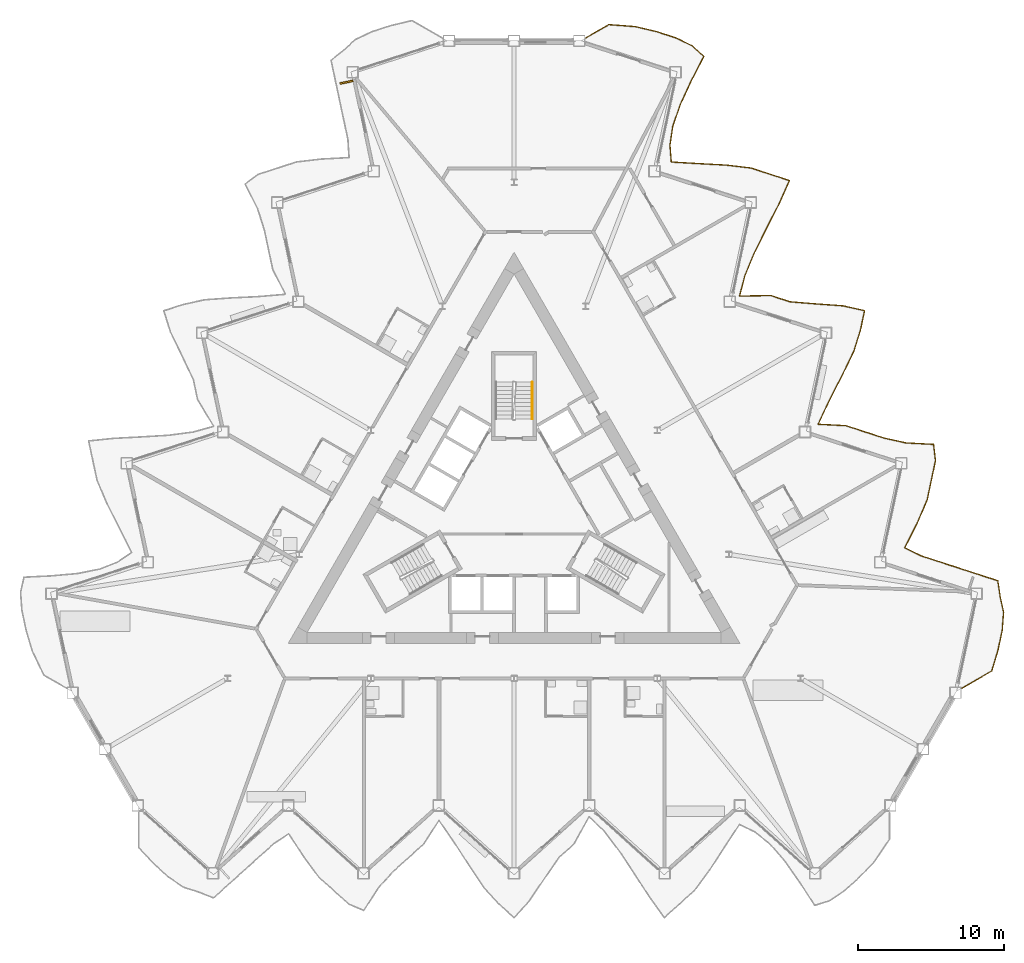
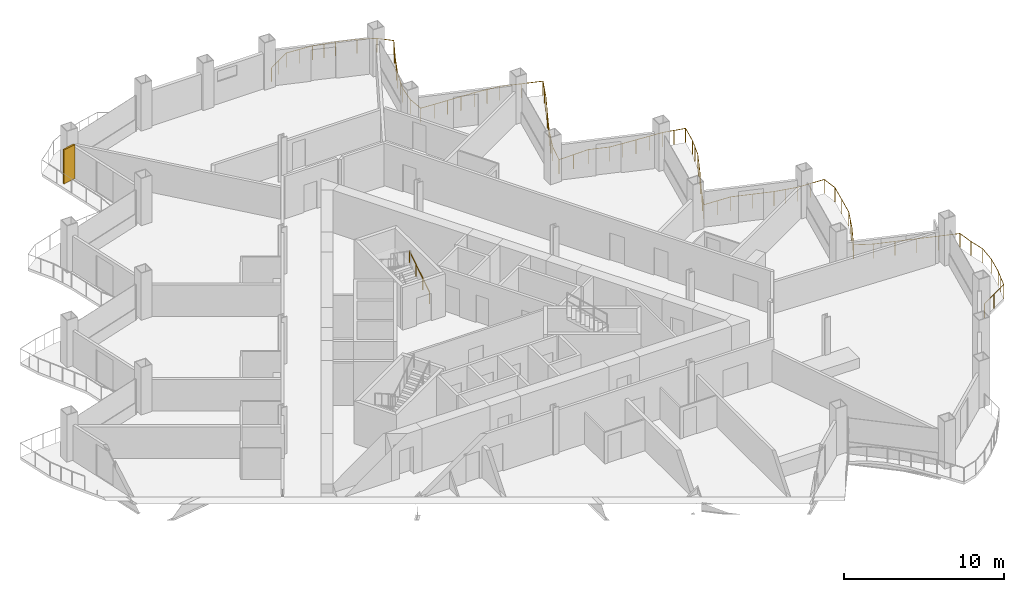
# One storey, part 21 of 23: 2 railings, 1 shading device.
"""IFC4 building model written with IfcOpenShell, lengths in metres."""

from ifc_helpers import new_model, si_unit, direction, frame, origin, origin_2d, place, context, subcontext, project, spatial, rectangle, circle, extrude, material, layer, layer_set, type_object, element, save


model = new_model("IFC4")

# Units and contexts
model_context = context("Model", 3, precision=1e-05, world=origin(), true_north=direction((0.0, 1.0)))
body_context = subcontext(model_context, "Body", "Model", "MODEL_VIEW")
ifc_project = project(units=[si_unit("LENGTHUNIT", "METRE"), si_unit("AREAUNIT", "SQUARE_METRE"), si_unit("VOLUMEUNIT", "CUBIC_METRE"), si_unit("PLANEANGLEUNIT", "RADIAN"), si_unit("MASSUNIT", "GRAM", prefix="KILO")], contexts=[model_context])

# Site, building, storey
site_placement = place(None, origin())
site = spatial("IfcSite", under=ifc_project, at=site_placement, CompositionType="ELEMENT")
building_placement = place(site_placement, origin())
building = spatial("IfcBuilding", under=site, at=building_placement, Name="Cormorant Prow Tower", CompositionType="ELEMENT")
storey_placement = place(building_placement, frame((0.0, 0.0, 208.800048828125)))
storey = spatial("IfcBuildingStorey", under=building, at=storey_placement, Name="L46", CompositionType="ELEMENT", Elevation=208.800048828125)

# Railings
ifc_material_1 = material(Name="Aluminium 6063-T6", Category="aluminium")
railing_type_1 = type_object("IfcRailingType", Name="Balcony guard 1100", PredefinedType="GUARDRAIL", material=ifc_material_1)
railing_1_placement = place(storey_placement, frame((30.69873046875, -12.0419921875, 0.0)))
element("IfcRailing", 1, at=railing_1_placement, inside=storey, type_object=railing_type_1, Name="Balcony guard ENE", PredefinedType="GUARDRAIL", context=body_context, shape_type="SweptSolid", body=[
    extrude(circle(Radius=0.02392578125, at=origin_2d()), frame((0.0, 0.0, 1.076171875), z_axis=(0.866028295127, 0.499994992015, 0.0), x_axis=(-0.499994992015, 0.866028295127, 0.0)), (0.0, 0.0, 1.0), 2.40380859375),
    extrude(circle(Radius=0.02392578125, at=origin_2d()), frame((2.081787109375, 1.201904296875, 1.076171875), z_axis=(0.287541521382, 0.957768173141, 0.0), x_axis=(-0.957768173141, 0.287541521382, 0.0)), (0.0, 0.0, 1.0), 1.503662109375),
    extrude(circle(Radius=0.02392578125, at=origin_2d()), frame((2.51416015625, 2.64208984375, 1.076171875), z_axis=(0.20797870558, 0.978133353907, 0.0), x_axis=(-0.978133353907, 0.20797870558, 0.0)), (0.0, 0.0, 1.0), 1.387451171875),
    extrude(circle(Radius=0.02392578125, at=origin_2d()), frame((2.802734375, 3.999267578125, 1.076171875), z_axis=(0.075470420357, 0.99714804099, 0.0), x_axis=(-0.99714804099, 0.075470420357, 0.0)), (0.0, 0.0, 1.0), 1.248779296875),
    extrude(circle(Radius=0.02392578125, at=origin_2d()), frame((2.89697265625, 5.244384765625, 1.076171875), z_axis=(-0.218748555075, 0.975781261171, 0.0), x_axis=(-0.975781261171, -0.218748555075, 0.0)), (0.0, 0.0, 1.0), 1.080322265625),
    extrude(circle(Radius=0.02392578125, at=origin_2d()), frame((2.66064453125, 6.298583984375, 1.076171875), z_axis=(-0.145703087096, 0.98932836329, 0.0), x_axis=(-0.98932836329, -0.145703087096, 0.0)), (0.0, 0.0, 1.0), 1.109130859375),
    extrude(circle(Radius=0.02392578125, at=origin_2d()), frame((2.4990234375, 7.39599609375, 1.076171875), z_axis=(-0.951066390921, 0.30898660175, 0.0), x_axis=(-0.30898660175, -0.951066390921, 0.0)), (0.0, 0.0, 1.0), 1.387451171875),
    extrude(circle(Radius=0.02392578125, at=origin_2d()), frame((1.179443359375, 7.82470703125, 1.076171875), z_axis=(-0.951066390921, 0.30898660175, 0.0), x_axis=(-0.30898660175, -0.951066390921, 0.0)), (0.0, 0.0, 1.0), 1.387451171875),
    extrude(circle(Radius=0.02392578125, at=origin_2d()), frame((-0.14013671875, 8.25341796875, 1.076171875), z_axis=(-0.951066390921, 0.30898660175, 0.0), x_axis=(-0.30898660175, -0.951066390921, 0.0)), (0.0, 0.0, 1.0), 1.387451171875),
    extrude(circle(Radius=0.02392578125, at=origin_2d()), frame((-1.459716796875, 8.68212890625, 1.076171875), z_axis=(-0.95103148308, 0.309094028075, 0.0), x_axis=(-0.309094028075, -0.95103148308, 0.0)), (0.0, 0.0, 1.0), 1.3876953125),
    extrude(circle(Radius=0.02392578125, at=origin_2d()), frame((-2.779541015625, 9.111083984375, 1.076171875), z_axis=(-0.897087869273, 0.441852186599, 0.0), x_axis=(-0.441852186599, -0.897087869273, 0.0)), (0.0, 0.0, 1.0), 1.240478515625),
    extrude(circle(Radius=0.02392578125, at=origin_2d()), frame((-3.892333984375, 9.6591796875, 1.076171875), z_axis=(0.453196235116, 0.891410776509, 0.0), x_axis=(-0.891410776509, 0.453196235116, 0.0)), (0.0, 0.0, 1.0), 1.890380859375),
    extrude(circle(Radius=0.02392578125, at=origin_2d()), frame((-3.03564453125, 11.34423828125, 1.076171875), z_axis=(0.395557804734, 0.918441083094, 0.0), x_axis=(-0.918441083094, 0.395557804734, 0.0)), (0.0, 0.0, 1.0), 1.7255859375),
    extrude(circle(Radius=0.02392578125, at=origin_2d()), frame((-2.35302734375, 12.92919921875, 1.076171875), z_axis=(0.20797870558, 0.978133353907, 0.0), x_axis=(-0.978133353907, 0.20797870558, 0.0)), (0.0, 0.0, 1.0), 1.387451171875),
    extrude(circle(Radius=0.02392578125, at=origin_2d()), frame((-2.064453125, 14.286376953125, 1.076171875), z_axis=(0.20797870558, 0.978133353907, 0.0), x_axis=(-0.978133353907, 0.20797870558, 0.0)), (0.0, 0.0, 1.0), 1.387451171875),
    extrude(circle(Radius=0.02392578125, at=origin_2d()), frame((-1.77587890625, 15.6435546875, 1.076171875), z_axis=(-0.119772050881, 0.992801418123, 0.0), x_axis=(-0.992801418123, -0.119772050881, 0.0)), (0.0, 0.0, 1.0), 1.12109375),
    extrude(circle(Radius=0.02392578125, at=origin_2d()), frame((-1.91015625, 16.756591796875, 1.076171875), z_axis=(-0.99863628427, 0.052207008536, 0.0), x_axis=(-0.052207008536, -0.99863628427, 0.0)), (0.0, 0.0, 1.0), 1.89404296875),
    extrude(circle(Radius=0.02392578125, at=origin_2d()), frame((-3.801513671875, 16.85546875, 1.076171875), z_axis=(-0.976798924256, 0.214158496382, 0.0), x_axis=(-0.214158496382, -0.976798924256, 0.0)), (0.0, 0.0, 1.0), 1.52978515625),
    extrude(circle(Radius=0.02392578125, at=origin_2d()), frame((-5.2958984375, 17.18310546875, 1.076171875), z_axis=(-0.951014671478, 0.309145749822, 0.0), x_axis=(-0.309145749822, -0.951014671478, 0.0)), (0.0, 0.0, 1.0), 1.387451171875),
    extrude(circle(Radius=0.02392578125, at=origin_2d()), frame((-6.615478515625, 17.612060546875, 1.076171875), z_axis=(-0.951066390921, 0.30898660175, 0.0), x_axis=(-0.30898660175, -0.951066390921, 0.0)), (0.0, 0.0, 1.0), 1.387451171875),
    extrude(circle(Radius=0.02392578125, at=origin_2d()), frame((-7.93505859375, 18.040771484375, 1.076171875), z_axis=(-0.998729147335, 0.050399308156, 0.0), x_axis=(-0.050399308156, -0.998729147335, 0.0)), (0.0, 0.0, 1.0), 1.89892578125),
    extrude(circle(Radius=0.02392578125, at=origin_2d()), frame((-9.83154296875, 18.136474609375, 1.076171875), z_axis=(0.42454486335, 0.90540690245, 0.0), x_axis=(-0.90540690245, 0.42454486335, 0.0)), (0.0, 0.0, 1.0), 1.803466796875),
    extrude(circle(Radius=0.02392578125, at=origin_2d()), frame((-9.06591796875, 19.769287109375, 1.076171875), z_axis=(0.457090009514, 0.889420442312, 0.0), x_axis=(-0.889420442312, 0.457090009514, 0.0)), (0.0, 0.0, 1.0), 1.903076171875),
    extrude(circle(Radius=0.02392578125, at=origin_2d()), frame((-8.196044921875, 21.4619140625, 1.076171875), z_axis=(0.437428047007, 0.899253414612, 0.0), x_axis=(-0.899253414612, 0.437428047007, 0.0)), (0.0, 0.0, 1.0), 1.84130859375),
    extrude(circle(Radius=0.02392578125, at=origin_2d()), frame((-7.390625, 23.11767578125, 1.076171875), z_axis=(0.300733243667, 0.953708297203, 0.0), x_axis=(-0.953708297203, 0.300733243667, 0.0)), (0.0, 0.0, 1.0), 1.526123046875),
    extrude(circle(Radius=0.02392578125, at=origin_2d()), frame((-6.931640625, 24.5732421875, 1.076171875), z_axis=(0.20797870558, 0.978133353907, 0.0), x_axis=(-0.978133353907, 0.20797870558, 0.0)), (0.0, 0.0, 1.0), 1.387451171875),
    extrude(circle(Radius=0.02392578125, at=origin_2d()), frame((-6.64306640625, 25.930419921875, 1.076171875), z_axis=(-0.97588443136, 0.218287829777, 0.0), x_axis=(-0.218287829777, -0.97588443136, 0.0)), (0.0, 0.0, 1.0), 1.523193359375),
    extrude(circle(Radius=0.02392578125, at=origin_2d()), frame((-8.129638671875, 26.262939453125, 1.076171875), z_axis=(-0.997468119941, 0.071115045529, 0.0), x_axis=(-0.071115045529, -0.997468119941, 0.0)), (0.0, 0.0, 1.0), 1.840087890625),
    extrude(circle(Radius=0.02392578125, at=origin_2d()), frame((-9.965087890625, 26.393798828125, 1.076171875), z_axis=(-0.996660937381, 0.081651551717, 0.0), x_axis=(-0.081651551717, -0.996660937381, 0.0)), (0.0, 0.0, 1.0), 1.81201171875),
    extrude(circle(Radius=0.02392578125, at=origin_2d()), frame((-11.77099609375, 26.541748046875, 1.076171875), z_axis=(-0.951014671478, 0.309145749822, 0.0), x_axis=(-0.309145749822, -0.951014671478, 0.0)), (0.0, 0.0, 1.0), 1.387451171875),
    extrude(circle(Radius=0.02392578125, at=origin_2d()), frame((-13.090576171875, 26.970703125, 1.076171875), z_axis=(-0.999827790002, -0.018557756872, 0.0), x_axis=(0.018557756872, -0.999827790002, 0.0)), (0.0, 0.0, 1.0), 2.13134765625),
    extrude(circle(Radius=0.02392578125, at=origin_2d()), frame((-15.221435546875, 26.93115234375, 1.076171875), z_axis=(0.250199897409, 0.968194201251, 0.0), x_axis=(-0.968194201251, 0.250199897409, 0.0)), (0.0, 0.0, 1.0), 1.445068359375),
    extrude(circle(Radius=0.02392578125, at=origin_2d()), frame((-14.85986328125, 28.330322265625, 1.076171875), z_axis=(0.383398526339, 0.923583006557, 0.0), x_axis=(-0.923583006557, 0.383398526339, 0.0)), (0.0, 0.0, 1.0), 1.69580078125),
    extrude(circle(Radius=0.02392578125, at=origin_2d()), frame((-14.209716796875, 29.896484375, 1.076171875), z_axis=(0.446534326921, 0.894766502994, 0.0), x_axis=(-0.894766502994, 0.446534326921, 0.0)), (0.0, 0.0, 1.0), 1.869384765625),
    extrude(circle(Radius=0.02392578125, at=origin_2d()), frame((-13.375, 31.569091796875, 1.076171875), z_axis=(0.454313809122, 0.89084171593, 0.0), x_axis=(-0.89084171593, 0.454313809122, 0.0)), (0.0, 0.0, 1.0), 1.894287109375),
    extrude(circle(Radius=0.02392578125, at=origin_2d()), frame((-12.514404296875, 33.256591796875, 1.076171875), z_axis=(0.407466606086, 0.9132201076, 0.0), x_axis=(-0.9132201076, 0.407466606086, 0.0)), (0.0, 0.0, 1.0), 1.756103515625),
    extrude(circle(Radius=0.02392578125, at=origin_2d()), frame((-11.798828125, 34.8603515625, 1.076171875), z_axis=(-0.951066390921, 0.30898660175, 0.0), x_axis=(-0.30898660175, -0.951066390921, 0.0)), (0.0, 0.0, 1.0), 1.387451171875),
    extrude(circle(Radius=0.02392578125, at=origin_2d()), frame((-13.118408203125, 35.2890625, 1.076171875), z_axis=(-0.951066390921, 0.30898660175, 0.0), x_axis=(-0.30898660175, -0.951066390921, 0.0)), (0.0, 0.0, 1.0), 1.387451171875),
    extrude(circle(Radius=0.02392578125, at=origin_2d()), frame((-14.43798828125, 35.7177734375, 1.076171875), z_axis=(-0.992981138092, 0.118272817648, 0.0), x_axis=(-0.118272817648, -0.992981138092, 0.0)), (0.0, 0.0, 1.0), 1.721435546875),
    extrude(circle(Radius=0.02392578125, at=origin_2d()), frame((-16.1474609375, 35.92138671875, 1.076171875), z_axis=(-0.998561964435, 0.053609730303, 0.0), x_axis=(-0.053609730303, -0.998561964435, 0.0)), (0.0, 0.0, 1.0), 1.889892578125),
    extrude(circle(Radius=0.02392578125, at=origin_2d()), frame((-18.03466796875, 36.022705078125, 1.076171875), z_axis=(-0.998306973081, 0.058165174266, 0.0), x_axis=(-0.058165174266, -0.998306973081, 0.0)), (0.0, 0.0, 1.0), 1.876220703125),
    extrude(circle(Radius=0.02392578125, at=origin_2d()), frame((-19.90771484375, 36.1318359375, 1.076171875), z_axis=(-0.07954125821, 0.996831574662, 0.0), x_axis=(-0.996831574662, -0.07954125821, 0.0)), (0.0, 0.0, 1.0), 1.141845703125),
    extrude(circle(Radius=0.02392578125, at=origin_2d()), frame((-19.99853515625, 37.27001953125, 1.076171875), z_axis=(0.146689799632, 0.98918254265, 0.0), x_axis=(-0.98918254265, 0.146689799632, 0.0)), (0.0, 0.0, 1.0), 1.31640625),
    extrude(circle(Radius=0.02392578125, at=origin_2d()), frame((-19.805419921875, 38.572265625, 1.076171875), z_axis=(0.32258186533, 0.94654156811, 0.0), x_axis=(-0.94654156811, 0.32258186533, 0.0)), (0.0, 0.0, 1.0), 1.56591796875),
    extrude(circle(Radius=0.02392578125, at=origin_2d()), frame((-19.30029296875, 40.054443359375, 1.076171875), z_axis=(0.420646988781, 0.907224399379, 0.0), x_axis=(-0.907224399379, 0.420646988781, 0.0)), (0.0, 0.0, 1.0), 1.792236328125),
    extrude(circle(Radius=0.02392578125, at=origin_2d()), frame((-18.54638671875, 41.680419921875, 1.076171875), z_axis=(0.456587728631, 0.889678394738, 0.0), x_axis=(-0.889678394738, 0.456587728631, 0.0)), (0.0, 0.0, 1.0), 1.9013671875),
    extrude(circle(Radius=0.02392578125, at=origin_2d()), frame((-17.67822265625, 43.3720703125, 1.076171875), z_axis=(-0.734907436107, 0.678167427967, 0.0), x_axis=(-0.678167427967, -0.734907436107, 0.0)), (0.0, 0.0, 1.0), 1.080078125),
    extrude(circle(Radius=0.02392578125, at=origin_2d()), frame((-18.471923828125, 44.1044921875, 1.076171875), z_axis=(-0.900035349441, 0.435816899348, 0.0), x_axis=(-0.435816899348, -0.900035349441, 0.0)), (0.0, 0.0, 1.0), 1.246337890625),
    extrude(circle(Radius=0.02392578125, at=origin_2d()), frame((-19.59375, 44.647705078125, 1.076171875), z_axis=(-0.951066390921, 0.30898660175, 0.0), x_axis=(-0.30898660175, -0.951066390921, 0.0)), (0.0, 0.0, 1.0), 1.387451171875),
    extrude(circle(Radius=0.02392578125, at=origin_2d()), frame((-20.913330078125, 45.076416015625, 1.076171875), z_axis=(-0.972790500958, 0.23168651503, 0.0), x_axis=(-0.23168651503, -0.972790500958, 0.0)), (0.0, 0.0, 1.0), 1.50048828125),
    extrude(circle(Radius=0.02392578125, at=origin_2d()), frame((-22.373046875, 45.424072265625, 1.076171875), z_axis=(-0.997218419902, 0.074534710085, 0.0), x_axis=(-0.074534710085, -0.997218419902, 0.0)), (0.0, 0.0, 1.0), 1.8310546875),
    extrude(circle(Radius=0.02392578125, at=origin_2d()), frame((-24.198974609375, 45.560546875, 1.076171875), z_axis=(-0.866042886279, -0.499969718208, 0.0), x_axis=(0.499969718208, -0.866042886279, 0.0)), (0.0, 0.0, 1.0), 1.8232421875),
    extrude(circle(Radius=0.02099609375, at=origin_2d()), origin(), (0.0, 0.0, 1.0), 1.052001953125),
    extrude(circle(Radius=0.02099609375, at=origin_2d()), frame((1.041015625, 0.60107421875, 0.0)), (0.0, 0.0, 1.0), 1.052001953125),
    extrude(circle(Radius=0.02099609375, at=origin_2d()), frame((2.081787109375, 1.201904296875, 0.0)), (0.0, 0.0, 1.0), 1.052001953125),
    extrude(circle(Radius=0.02099609375, at=origin_2d()), frame((2.2978515625, 1.921875, 0.0)), (0.0, 0.0, 1.0), 1.052001953125),
    extrude(circle(Radius=0.02099609375, at=origin_2d()), frame((2.51416015625, 2.64208984375, 0.0)), (0.0, 0.0, 1.0), 1.052001953125),
    extrude(circle(Radius=0.02099609375, at=origin_2d()), frame((2.802734375, 3.999267578125, 0.0)), (0.0, 0.0, 1.0), 1.052001953125),
    extrude(circle(Radius=0.02099609375, at=origin_2d()), frame((2.89697265625, 5.244384765625, 0.0)), (0.0, 0.0, 1.0), 1.052001953125),
    extrude(circle(Radius=0.02099609375, at=origin_2d()), frame((2.66064453125, 6.298583984375, 0.0)), (0.0, 0.0, 1.0), 1.052001953125),
    extrude(circle(Radius=0.02099609375, at=origin_2d()), frame((2.4990234375, 7.39599609375, 0.0)), (0.0, 0.0, 1.0), 1.052001953125),
    extrude(circle(Radius=0.02099609375, at=origin_2d()), frame((1.179443359375, 7.82470703125, 0.0)), (0.0, 0.0, 1.0), 1.052001953125),
    extrude(circle(Radius=0.02099609375, at=origin_2d()), frame((-0.14013671875, 8.25341796875, 0.0)), (0.0, 0.0, 1.0), 1.052001953125),
    extrude(circle(Radius=0.02099609375, at=origin_2d()), frame((-1.459716796875, 8.68212890625, 0.0)), (0.0, 0.0, 1.0), 1.052001953125),
    extrude(circle(Radius=0.02099609375, at=origin_2d()), frame((-2.779541015625, 9.111083984375, 0.0)), (0.0, 0.0, 1.0), 1.052001953125),
    extrude(circle(Radius=0.02099609375, at=origin_2d()), frame((-3.892333984375, 9.6591796875, 0.0)), (0.0, 0.0, 1.0), 1.052001953125),
    extrude(circle(Radius=0.02099609375, at=origin_2d()), frame((-3.4638671875, 10.501708984375, 0.0)), (0.0, 0.0, 1.0), 1.052001953125),
    extrude(circle(Radius=0.02099609375, at=origin_2d()), frame((-3.03564453125, 11.34423828125, 0.0)), (0.0, 0.0, 1.0), 1.052001953125),
    extrude(circle(Radius=0.02099609375, at=origin_2d()), frame((-2.6943359375, 12.13671875, 0.0)), (0.0, 0.0, 1.0), 1.052001953125),
    extrude(circle(Radius=0.02099609375, at=origin_2d()), frame((-2.35302734375, 12.92919921875, 0.0)), (0.0, 0.0, 1.0), 1.052001953125),
    extrude(circle(Radius=0.02099609375, at=origin_2d()), frame((-2.064453125, 14.286376953125, 0.0)), (0.0, 0.0, 1.0), 1.052001953125),
    extrude(circle(Radius=0.02099609375, at=origin_2d()), frame((-1.77587890625, 15.6435546875, 0.0)), (0.0, 0.0, 1.0), 1.052001953125),
    extrude(circle(Radius=0.02099609375, at=origin_2d()), frame((-1.91015625, 16.756591796875, 0.0)), (0.0, 0.0, 1.0), 1.052001953125),
    extrude(circle(Radius=0.02099609375, at=origin_2d()), frame((-2.85595703125, 16.80615234375, 0.0)), (0.0, 0.0, 1.0), 1.052001953125),
    extrude(circle(Radius=0.02099609375, at=origin_2d()), frame((-3.801513671875, 16.85546875, 0.0)), (0.0, 0.0, 1.0), 1.052001953125),
    extrude(circle(Radius=0.02099609375, at=origin_2d()), frame((-4.548828125, 17.019287109375, 0.0)), (0.0, 0.0, 1.0), 1.052001953125),
    extrude(circle(Radius=0.02099609375, at=origin_2d()), frame((-5.2958984375, 17.18310546875, 0.0)), (0.0, 0.0, 1.0), 1.052001953125),
    extrude(circle(Radius=0.02099609375, at=origin_2d()), frame((-6.615478515625, 17.612060546875, 0.0)), (0.0, 0.0, 1.0), 1.052001953125),
    extrude(circle(Radius=0.02099609375, at=origin_2d()), frame((-7.93505859375, 18.040771484375, 0.0)), (0.0, 0.0, 1.0), 1.052001953125),
    extrude(circle(Radius=0.02099609375, at=origin_2d()), frame((-8.88330078125, 18.088623046875, 0.0)), (0.0, 0.0, 1.0), 1.052001953125),
    extrude(circle(Radius=0.02099609375, at=origin_2d()), frame((-9.83154296875, 18.136474609375, 0.0)), (0.0, 0.0, 1.0), 1.052001953125),
    extrude(circle(Radius=0.02099609375, at=origin_2d()), frame((-9.44873046875, 18.952880859375, 0.0)), (0.0, 0.0, 1.0), 1.052001953125),
    extrude(circle(Radius=0.02099609375, at=origin_2d()), frame((-9.06591796875, 19.769287109375, 0.0)), (0.0, 0.0, 1.0), 1.052001953125),
    extrude(circle(Radius=0.02099609375, at=origin_2d()), frame((-8.630859375, 20.61572265625, 0.0)), (0.0, 0.0, 1.0), 1.052001953125),
    extrude(circle(Radius=0.02099609375, at=origin_2d()), frame((-8.196044921875, 21.4619140625, 0.0)), (0.0, 0.0, 1.0), 1.052001953125),
    extrude(circle(Radius=0.02099609375, at=origin_2d()), frame((-7.79345703125, 22.289794921875, 0.0)), (0.0, 0.0, 1.0), 1.052001953125),
    extrude(circle(Radius=0.02099609375, at=origin_2d()), frame((-7.390625, 23.11767578125, 0.0)), (0.0, 0.0, 1.0), 1.052001953125),
    extrude(circle(Radius=0.02099609375, at=origin_2d()), frame((-7.1611328125, 23.845458984375, 0.0)), (0.0, 0.0, 1.0), 1.052001953125),
    extrude(circle(Radius=0.02099609375, at=origin_2d()), frame((-6.931640625, 24.5732421875, 0.0)), (0.0, 0.0, 1.0), 1.052001953125),
    extrude(circle(Radius=0.02099609375, at=origin_2d()), frame((-6.64306640625, 25.930419921875, 0.0)), (0.0, 0.0, 1.0), 1.052001953125),
    extrude(circle(Radius=0.02099609375, at=origin_2d()), frame((-7.38623046875, 26.0966796875, 0.0)), (0.0, 0.0, 1.0), 1.052001953125),
    extrude(circle(Radius=0.02099609375, at=origin_2d()), frame((-8.129638671875, 26.262939453125, 0.0)), (0.0, 0.0, 1.0), 1.052001953125),
    extrude(circle(Radius=0.02099609375, at=origin_2d()), frame((-9.04736328125, 26.328369140625, 0.0)), (0.0, 0.0, 1.0), 1.052001953125),
    extrude(circle(Radius=0.02099609375, at=origin_2d()), frame((-9.965087890625, 26.393798828125, 0.0)), (0.0, 0.0, 1.0), 1.052001953125),
    extrude(circle(Radius=0.02099609375, at=origin_2d()), frame((-10.8681640625, 26.4677734375, 0.0)), (0.0, 0.0, 1.0), 1.052001953125),
    extrude(circle(Radius=0.02099609375, at=origin_2d()), frame((-11.77099609375, 26.541748046875, 0.0)), (0.0, 0.0, 1.0), 1.052001953125),
    extrude(circle(Radius=0.02099609375, at=origin_2d()), frame((-13.090576171875, 26.970703125, 0.0)), (0.0, 0.0, 1.0), 1.052001953125),
    extrude(circle(Radius=0.02099609375, at=origin_2d()), frame((-14.156005859375, 26.950927734375, 0.0)), (0.0, 0.0, 1.0), 1.052001953125),
    extrude(circle(Radius=0.02099609375, at=origin_2d()), frame((-15.221435546875, 26.93115234375, 0.0)), (0.0, 0.0, 1.0), 1.052001953125),
    extrude(circle(Radius=0.02099609375, at=origin_2d()), frame((-14.85986328125, 28.330322265625, 0.0)), (0.0, 0.0, 1.0), 1.052001953125),
    extrude(circle(Radius=0.02099609375, at=origin_2d()), frame((-14.53466796875, 29.11328125, 0.0)), (0.0, 0.0, 1.0), 1.052001953125),
    extrude(circle(Radius=0.02099609375, at=origin_2d()), frame((-14.209716796875, 29.896484375, 0.0)), (0.0, 0.0, 1.0), 1.052001953125),
    extrude(circle(Radius=0.02099609375, at=origin_2d()), frame((-13.79248046875, 30.73291015625, 0.0)), (0.0, 0.0, 1.0), 1.052001953125),
    extrude(circle(Radius=0.02099609375, at=origin_2d()), frame((-13.375, 31.569091796875, 0.0)), (0.0, 0.0, 1.0), 1.052001953125),
    extrude(circle(Radius=0.02099609375, at=origin_2d()), frame((-12.94482421875, 32.412841796875, 0.0)), (0.0, 0.0, 1.0), 1.052001953125),
    extrude(circle(Radius=0.02099609375, at=origin_2d()), frame((-12.514404296875, 33.256591796875, 0.0)), (0.0, 0.0, 1.0), 1.052001953125),
    extrude(circle(Radius=0.02099609375, at=origin_2d()), frame((-12.15673828125, 34.05859375, 0.0)), (0.0, 0.0, 1.0), 1.052001953125),
    extrude(circle(Radius=0.02099609375, at=origin_2d()), frame((-11.798828125, 34.8603515625, 0.0)), (0.0, 0.0, 1.0), 1.052001953125),
    extrude(circle(Radius=0.02099609375, at=origin_2d()), frame((-13.118408203125, 35.2890625, 0.0)), (0.0, 0.0, 1.0), 1.052001953125),
    extrude(circle(Radius=0.02099609375, at=origin_2d()), frame((-14.43798828125, 35.7177734375, 0.0)), (0.0, 0.0, 1.0), 1.052001953125),
    extrude(circle(Radius=0.02099609375, at=origin_2d()), frame((-15.292724609375, 35.819580078125, 0.0)), (0.0, 0.0, 1.0), 1.052001953125),
    extrude(circle(Radius=0.02099609375, at=origin_2d()), frame((-16.1474609375, 35.92138671875, 0.0)), (0.0, 0.0, 1.0), 1.052001953125),
    extrude(circle(Radius=0.02099609375, at=origin_2d()), frame((-17.091064453125, 35.97216796875, 0.0)), (0.0, 0.0, 1.0), 1.052001953125),
    extrude(circle(Radius=0.02099609375, at=origin_2d()), frame((-18.03466796875, 36.022705078125, 0.0)), (0.0, 0.0, 1.0), 1.052001953125),
    extrude(circle(Radius=0.02099609375, at=origin_2d()), frame((-18.97119140625, 36.0771484375, 0.0)), (0.0, 0.0, 1.0), 1.052001953125),
    extrude(circle(Radius=0.02099609375, at=origin_2d()), frame((-19.90771484375, 36.1318359375, 0.0)), (0.0, 0.0, 1.0), 1.052001953125),
    extrude(circle(Radius=0.02099609375, at=origin_2d()), frame((-19.99853515625, 37.27001953125, 0.0)), (0.0, 0.0, 1.0), 1.052001953125),
    extrude(circle(Radius=0.02099609375, at=origin_2d()), frame((-19.805419921875, 38.572265625, 0.0)), (0.0, 0.0, 1.0), 1.052001953125),
    extrude(circle(Radius=0.02099609375, at=origin_2d()), frame((-19.552734375, 39.3134765625, 0.0)), (0.0, 0.0, 1.0), 1.052001953125),
    extrude(circle(Radius=0.02099609375, at=origin_2d()), frame((-19.30029296875, 40.054443359375, 0.0)), (0.0, 0.0, 1.0), 1.052001953125),
    extrude(circle(Radius=0.02099609375, at=origin_2d()), frame((-18.92333984375, 40.867431640625, 0.0)), (0.0, 0.0, 1.0), 1.052001953125),
    extrude(circle(Radius=0.02099609375, at=origin_2d()), frame((-18.54638671875, 41.680419921875, 0.0)), (0.0, 0.0, 1.0), 1.052001953125),
    extrude(circle(Radius=0.02099609375, at=origin_2d()), frame((-18.1123046875, 42.5263671875, 0.0)), (0.0, 0.0, 1.0), 1.052001953125),
    extrude(circle(Radius=0.02099609375, at=origin_2d()), frame((-17.67822265625, 43.3720703125, 0.0)), (0.0, 0.0, 1.0), 1.052001953125),
    extrude(circle(Radius=0.02099609375, at=origin_2d()), frame((-18.471923828125, 44.1044921875, 0.0)), (0.0, 0.0, 1.0), 1.052001953125),
    extrude(circle(Radius=0.02099609375, at=origin_2d()), frame((-19.59375, 44.647705078125, 0.0)), (0.0, 0.0, 1.0), 1.052001953125),
    extrude(circle(Radius=0.02099609375, at=origin_2d()), frame((-20.913330078125, 45.076416015625, 0.0)), (0.0, 0.0, 1.0), 1.052001953125),
    extrude(circle(Radius=0.02099609375, at=origin_2d()), frame((-21.64306640625, 45.250244140625, 0.0)), (0.0, 0.0, 1.0), 1.052001953125),
    extrude(circle(Radius=0.02099609375, at=origin_2d()), frame((-22.373046875, 45.424072265625, 0.0)), (0.0, 0.0, 1.0), 1.052001953125),
    extrude(circle(Radius=0.02099609375, at=origin_2d()), frame((-23.2861328125, 45.4921875, 0.0)), (0.0, 0.0, 1.0), 1.052001953125),
    extrude(circle(Radius=0.02099609375, at=origin_2d()), frame((-24.198974609375, 45.560546875, 0.0)), (0.0, 0.0, 1.0), 1.052001953125),
    extrude(circle(Radius=0.02099609375, at=origin_2d()), frame((-24.988525390625, 45.104736328125, 0.0)), (0.0, 0.0, 1.0), 1.052001953125),
    extrude(circle(Radius=0.02099609375, at=origin_2d()), frame((-25.778076171875, 44.64892578125, 0.0)), (0.0, 0.0, 1.0), 1.052001953125),
])
ifc_material_2 = material(Name="Stainless steel", Category="steel")
railing_type_2 = type_object("IfcRailingType", Name="Stair handrail 900", PredefinedType="HANDRAIL", material=ifc_material_2)
railing_2_placement = place(storey_placement, frame((1.243896484375, 6.455810546875, 0.179931640625)))
element("IfcRailing", 2, at=railing_2_placement, inside=storey, type_object=railing_type_2, Name="L46 ST3 stair handrail 1", PredefinedType="HANDRAIL", context=body_context, shape_type="SweptSolid", body=[
    extrude(circle(Radius=0.02392578125, at=origin_2d()), frame((0.0, 0.0, 0.8759765625), z_axis=(0.0, 0.841162588446, 0.540782303519), x_axis=(-1.0, 0.0, 0.0)), (0.0, 0.0, 1.0), 2.995849609375),
    extrude(circle(Radius=0.02099609375, at=origin_2d()), origin(), (0.0, 0.0, 1.0), 0.851806640625),
    extrude(circle(Radius=0.02099609375, at=origin_2d()), frame((0.0, 0.840087890625, 0.5400390625)), (0.0, 0.0, 1.0), 0.851806640625),
    extrude(circle(Radius=0.02099609375, at=origin_2d()), frame((0.0, 1.679931640625, 1.080078125)), (0.0, 0.0, 1.0), 0.851806640625),
    extrude(circle(Radius=0.02099609375, at=origin_2d()), frame((0.0, 2.52001953125, 1.6201171875)), (0.0, 0.0, 1.0), 0.851806640625),
])

# Shading device
ifc_material_3 = material(Name="Terracotta", Category="masonry")
ifc_layer = layer(ifc_material_3, 0.1201171875)
ifc_layer_set = layer_set([ifc_layer], Name="Terracotta")
shading_device_type = type_object("IfcShadingDeviceType", Name="Terracotta baguette fin 120x900x2600", PredefinedType="USERDEFINED", material=ifc_layer_set)
shading_device_placement = place(storey_placement, frame((-11.499267578125, 29.5654296875, 0.0), z_axis=(0.0, 0.0, 1.0), x_axis=(0.20791171127, -0.978147596387, 0.0)))
element("IfcShadingDevice", 3, at=shading_device_placement, inside=storey, type_object=shading_device_type, Name="Baguette fin WNW01", ObjectType="BAGUETTE", PredefinedType="USERDEFINED", context=body_context, shape_type="SweptSolid", body=[
    extrude(rectangle(XDim=0.1201171875, YDim=0.89990234375, at=origin_2d()), origin(), (0.0, 0.0, 1.0), 2.60009765625),
])

save(model, "model.ifc")
